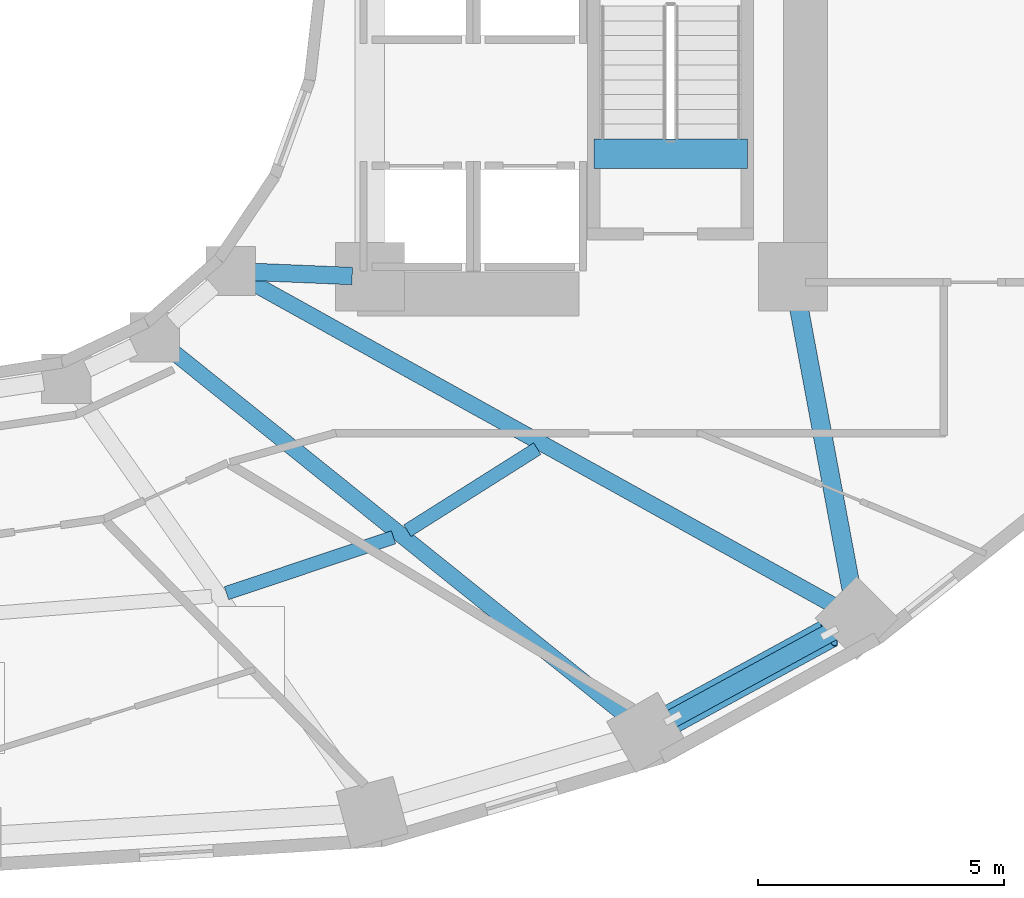
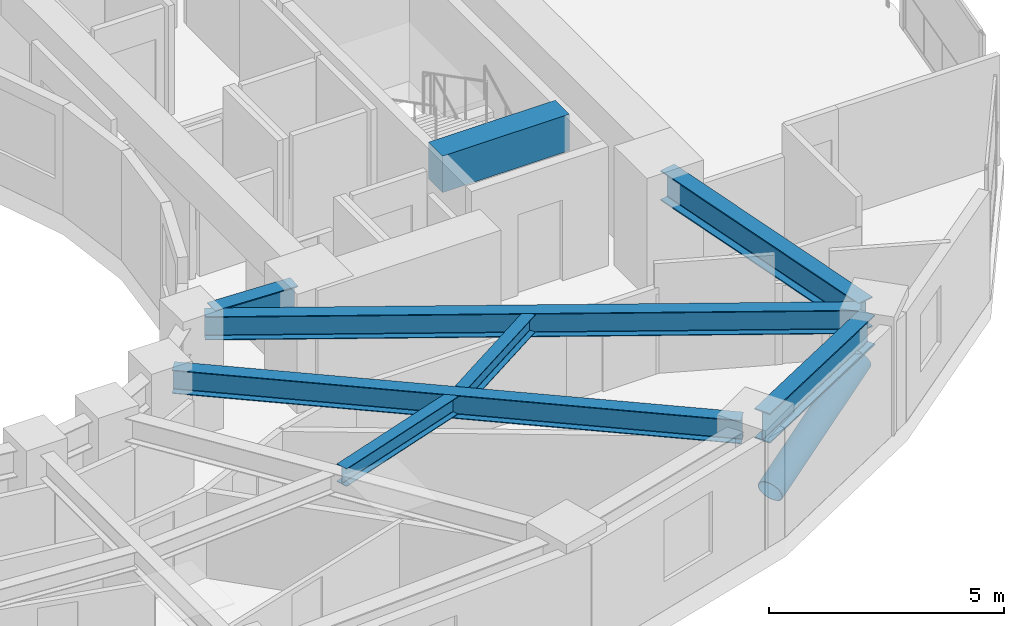
# One storey, part 2 of 15: 8 beams, 1 member.
"""IFC4 building model written with IfcOpenShell, lengths in metres."""

from ifc_helpers import new_model, si_unit, direction, frame, origin, origin_2d, place, context, subcontext, project, spatial, rectangle, hollow_circle, i_section, extrude, material, material_profile, profile_set, type_object, element, save


model = new_model("IFC4")

# Units and contexts
model_context = context("Model", 3, precision=1e-05, world=origin(), true_north=direction((0.0, 1.0)))
body_context = subcontext(model_context, "Body", "Model", "MODEL_VIEW")
ifc_project = project(units=[si_unit("LENGTHUNIT", "METRE"), si_unit("AREAUNIT", "SQUARE_METRE"), si_unit("VOLUMEUNIT", "CUBIC_METRE"), si_unit("PLANEANGLEUNIT", "RADIAN"), si_unit("MASSUNIT", "GRAM", prefix="KILO")], contexts=[model_context])

# Site, building, storey
site_placement = place(None, origin())
site = spatial("IfcSite", under=ifc_project, at=site_placement, CompositionType="ELEMENT")
building_placement = place(site_placement, origin())
building = spatial("IfcBuilding", under=site, at=building_placement, Name="Solvane Sanctuary Tower", CompositionType="ELEMENT")
storey_placement = place(building_placement, frame((0.0, 0.0, 46.199951171875)))
storey = spatial("IfcBuildingStorey", under=building, at=storey_placement, Name="L13", CompositionType="ELEMENT", Elevation=46.199951171875)

# Beams
ifc_material_1 = material(Name="Concrete C70/85", Category="concrete")
ifc_material_profile_1 = material_profile(ifc_material_1, rectangle(XDim=0.60009765625, YDim=0.949951171875, at=origin_2d()), Name="RC600X950")
ifc_profile_set_1 = profile_set([ifc_material_profile_1], Name="Concrete C70/85")
beam_type_1 = type_object("IfcBeamType", Name="Beam B-COUPLE RC600X950", PredefinedType="LINTEL", material=ifc_profile_set_1)
beam_1_placement = place(storey_placement, frame((44.64990234375, 19.399169921875, 2.625), z_axis=(1.0, 0.0, 0.0), x_axis=(0.0, 1.0, 0.0)))
element("IfcBeam", 1, at=beam_1_placement, inside=storey, type_object=beam_type_1, Name="L13 ST-2 Stair Floor Landing Trimmer", PredefinedType="LINTEL", context=body_context, shape_type="SweptSolid", body=[
    extrude(rectangle(XDim=0.60009765625, YDim=0.949951171875, at=origin_2d()), origin(), (0.0, 0.0, 1.0), 3.1201171875),
])
ifc_material_2 = material(Name="Steel ASTM A992 Grade 50", Category="steel")
ifc_material_profile_2 = material_profile(ifc_material_2, i_section(OverallWidth=0.323974609375, OverallDepth=0.611083984375, WebThickness=0.0126953125, FlangeThickness=0.01904296875, FilletRadius=0.01611328125, at=origin_2d()), Name="W24X104")
ifc_profile_set_2 = profile_set([ifc_material_profile_2], Name="Steel ASTM A992 Grade 50")
beam_type_2 = type_object("IfcBeamType", Name="Beam B-RAD-Z1 W24X104", PredefinedType="BEAM", material=ifc_profile_set_2)
beam_2_placement = place(storey_placement, frame((35.9482421875, 15.498046875, 2.572509765625), z_axis=(0.779526985436, -0.626368644631, 0.0), x_axis=(0.626368644631, 0.779526985436, 0.0)))
element("IfcBeam", 2, at=beam_2_placement, inside=storey, type_object=beam_type_2, Name="L13 Radial Composite Floor Beam 13", PredefinedType="BEAM", context=body_context, shape_type="SweptSolid", body=[
    extrude(i_section(OverallWidth=0.323974609375, OverallDepth=0.611083984375, WebThickness=0.0126953125, FlangeThickness=0.01904296875, FilletRadius=0.01611328125, at=origin_2d()), origin(), (0.0, 0.0, 1.0), 12.2646484375),
])
beam_3_placement = place(storey_placement, frame((37.52001953125, 16.882080078125, 2.572509765625), z_axis=(0.87449641157, -0.485031984668, 0.0), x_axis=(0.485031984668, 0.87449641157, 0.0)))
element("IfcBeam", 3, at=beam_3_placement, inside=storey, type_object=beam_type_2, Name="L13 Radial Composite Floor Beam 14", PredefinedType="BEAM", context=body_context, shape_type="SweptSolid", body=[
    extrude(i_section(OverallWidth=0.323974609375, OverallDepth=0.611083984375, WebThickness=0.0126953125, FlangeThickness=0.01904296875, FilletRadius=0.01611328125, at=origin_2d()), origin(), (0.0, 0.0, 1.0), 13.9814453125),
])
ifc_material_profile_3 = material_profile(ifc_material_2, i_section(OverallWidth=0.35498046875, OverallDepth=0.695068359375, WebThickness=0.015380859375, FlangeThickness=0.02490234375, FilletRadius=0.01806640625, at=origin_2d()), Name="W27X146")
ifc_profile_set_3 = profile_set([ifc_material_profile_3], Name="Steel ASTM A992 Grade 50")
beam_type_3 = type_object("IfcBeamType", Name="Beam B-RING-IN1 W27X146", PredefinedType="BEAM", material=ifc_profile_set_3)
beam_4_placement = place(storey_placement, frame((37.74462890625, 16.998291015625, 2.530517578125), z_axis=(0.999130953379, -0.041681386726, 0.0), x_axis=(0.041681386726, 0.999130953379, 0.0)))
element("IfcBeam", 4, at=beam_4_placement, inside=storey, type_object=beam_type_3, Name="L13 Inner Light-Well Ring Beam IC14-CE1", PredefinedType="BEAM", context=body_context, shape_type="SweptSolid", body=[
    extrude(i_section(OverallWidth=0.35498046875, OverallDepth=0.695068359375, WebThickness=0.015380859375, FlangeThickness=0.02490234375, FilletRadius=0.01806640625, at=origin_2d()), origin(), (0.0, 0.0, 1.0), 1.997314453125),
])
ifc_material_profile_4 = material_profile(ifc_material_2, i_section(OverallWidth=0.280029296875, OverallDepth=0.462890625, WebThickness=0.0107421875, FlangeThickness=0.017333984375, FilletRadius=0.013916015625, at=origin_2d()), Name="W18X76")
ifc_profile_set_4 = profile_set([ifc_material_profile_4], Name="Steel ASTM A992 Grade 50")
beam_type_4 = type_object("IfcBeamType", Name="Beam B-SEC-JOIST W18X76", PredefinedType="JOIST", material=ifc_profile_set_4)
beam_5_placement = place(storey_placement, frame((37.186767578125, 10.47119140625, 2.646484375), z_axis=(0.948259393162, 0.317496650816, 0.0), x_axis=(-0.317496650816, 0.948259393162, 0.0)))
element("IfcBeam", 5, at=beam_5_placement, inside=storey, type_object=beam_type_4, Name="L13 Secondary Circumferential Joist 12-13", PredefinedType="JOIST", context=body_context, shape_type="SweptSolid", body=[
    extrude(i_section(OverallWidth=0.280029296875, OverallDepth=0.462890625, WebThickness=0.0107421875, FlangeThickness=0.017333984375, FilletRadius=0.013916015625, at=origin_2d()), origin(), (0.0, 0.0, 1.0), 3.577880859375),
])
beam_6_placement = place(storey_placement, frame((40.861328125, 11.74072265625, 2.646484375), z_axis=(0.845524211665, 0.533937081957, 0.0), x_axis=(-0.533937081957, 0.845524211665, 0.0)))
element("IfcBeam", 6, at=beam_6_placement, inside=storey, type_object=beam_type_4, Name="L13 Secondary Circumferential Joist 13-14", PredefinedType="JOIST", context=body_context, shape_type="SweptSolid", body=[
    extrude(i_section(OverallWidth=0.280029296875, OverallDepth=0.462890625, WebThickness=0.0107421875, FlangeThickness=0.017333984375, FilletRadius=0.013916015625, at=origin_2d()), origin(), (0.0, 0.0, 1.0), 3.12158203125),
])
ifc_material_profile_5 = material_profile(ifc_material_2, i_section(OverallWidth=0.382080078125, OverallDepth=0.779052734375, WebThickness=0.01806640625, FlangeThickness=0.030029296875, FilletRadius=0.02001953125, at=origin_2d()), Name="W30X191")
ifc_profile_set_5 = profile_set([ifc_material_profile_5], Name="Steel ASTM A992 Grade 50")
beam_type_5 = type_object("IfcBeamType", Name="Beam B-SPAND-Z1 W30X191", PredefinedType="SPANDREL", material=ifc_profile_set_5)
beam_7_placement = place(storey_placement, frame((45.97314453125, 7.774658203125, 2.488525390625), z_axis=(0.878060556078, 0.478549537519, 0.0), x_axis=(-0.478549537519, 0.878060556078, 0.0)))
element("IfcBeam", 7, at=beam_7_placement, inside=storey, type_object=beam_type_5, Name="L13 Perimeter Spandrel Beam TC13-TC14", PredefinedType="SPANDREL", context=body_context, shape_type="SweptSolid", body=[
    extrude(i_section(OverallWidth=0.382080078125, OverallDepth=0.779052734375, WebThickness=0.01806640625, FlangeThickness=0.030029296875, FilletRadius=0.02001953125, at=origin_2d()), origin(), (0.0, 0.0, 1.0), 4.296630859375),
])
beam_8_placement = place(storey_placement, frame((49.9404296875, 10.239990234375, 2.488525390625), z_axis=(-0.183108171104, 0.983092771652, 0.0), x_axis=(-0.983092771652, -0.183108171104, 0.0)))
element("IfcBeam", 8, at=beam_8_placement, inside=storey, type_object=beam_type_5, Name="L13 Perimeter Spandrel Beam TC14-CE2", PredefinedType="SPANDREL", context=body_context, shape_type="SweptSolid", body=[
    extrude(i_section(OverallWidth=0.382080078125, OverallDepth=0.779052734375, WebThickness=0.01806640625, FlangeThickness=0.030029296875, FilletRadius=0.02001953125, at=origin_2d()), origin(), (0.0, 0.0, 1.0), 6.49462890625),
])

# Member
ifc_material_profile_6 = material_profile(ifc_material_2, hollow_circle(Radius=0.304931640625, WallThickness=0.01611328125, at=origin_2d()), Name="CHS610X16")
ifc_profile_set_6 = profile_set([ifc_material_profile_6], Name="Steel ASTM A992 Grade 50")
member_type = type_object("IfcMemberType", Name="Member M-TUBE-Z1 CHS610X16", PredefinedType="BRACE", material=ifc_profile_set_6)
member_placement = place(storey_placement, frame((46.262451171875, 7.932373046875, 0.595947265625), z_axis=(0.827757582726, 0.451121829397, 0.333626256882), x_axis=(-0.478539548862, 0.878065999897, 0.0)))
element("IfcMember", 9, at=member_placement, inside=storey, type_object=member_type, Name="L13 Perimeter Braced-Tube Diagonal SE", PredefinedType="BRACE", context=body_context, shape_type="SweptSolid", body=[
    extrude(hollow_circle(Radius=0.304931640625, WallThickness=0.01611328125, at=origin_2d()), origin(), (0.0, 0.0, 1.0), 3.83154296875),
])

save(model, "model.ifc")
